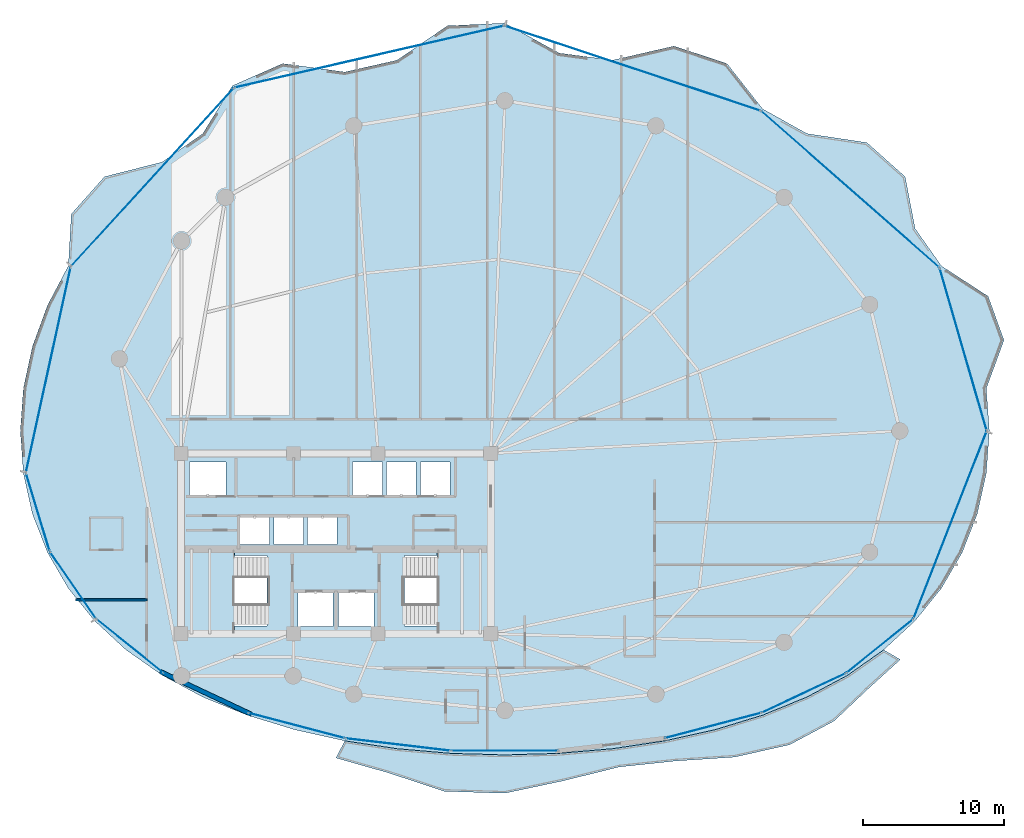
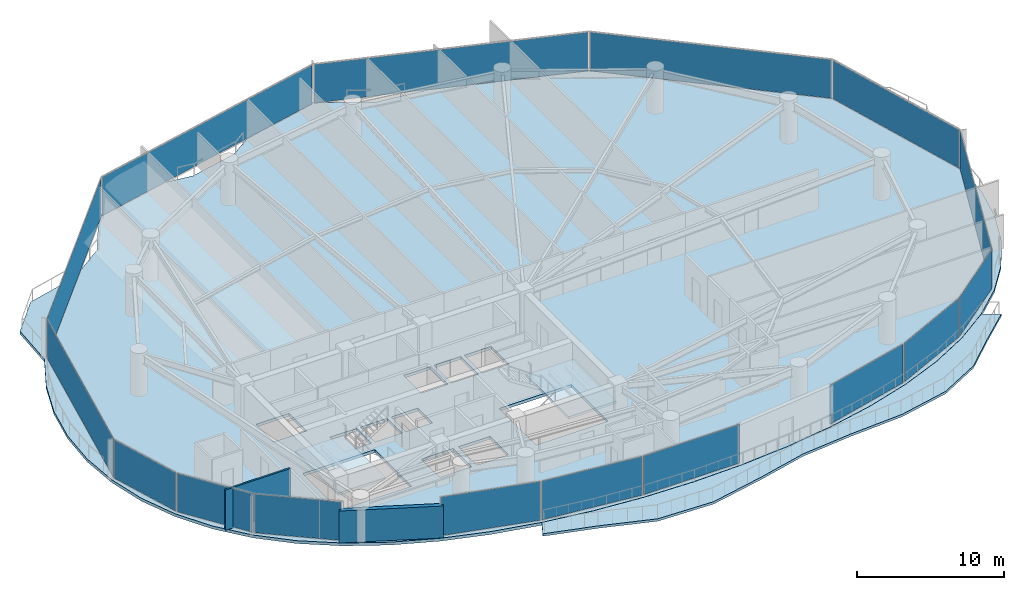
# One storey, part 25 of 34: 16 plates, 4 slabs, 2 walls, 18 elements without a shape of their own.
"""IFC4 building model written with IfcOpenShell, lengths in metres."""

import ifcopenshell
import ifcopenshell.guid

model = None  # the IFC model being written
_history = None  # IfcOwnerHistory: only IFC2X3 demands one
_inside = {}  # id of a spatial element -> (the spatial element, [elements in it])
_under = {}  # id of a project, library or spatial element -> (it, [spatial elements below it])
_declared = {}  # id of a project -> (the project, [libraries it declares])
_typed = {}  # id of a type object -> (the type object, [elements of that type])
_made_of = {}  # id of a material, layer set ... -> (it, [elements and type objects made of it])


def new_model(schema):
    """Start an empty IFC model of exactly this schema.

    Asked for "IFC4X3", IfcOpenShell would pick the latest addendum, in which some entities
    have other attributes; the version numbers below select the first issue.
    IFC2X3 requires an IfcOwnerHistory on every rooted entity: one is made here for all.
    """
    global model, _history
    if schema == "IFC4X3":
        model = ifcopenshell.file(schema_version=(4, 3, 0, 0))
    else:
        model = ifcopenshell.file(schema=schema)
    _inside.clear()
    _under.clear()
    _declared.clear()
    _typed.clear()
    _made_of.clear()
    _history = None
    if model.schema == "IFC2X3":
        org = make("IfcOrganization", Name="unknown")
        user = make(
            "IfcPersonAndOrganization",
            ThePerson=make("IfcPerson", FamilyName="unknown"),
            TheOrganization=org,
        )
        app = make(
            "IfcApplication",
            ApplicationDeveloper=org,
            Version="unknown",
            ApplicationFullName="unknown",
            ApplicationIdentifier="unknown",
        )
        _history = make(
            "IfcOwnerHistory",
            OwningUser=user,
            OwningApplication=app,
            ChangeAction="ADDED",
            CreationDate=0,
        )
    return model


def make(cls, **values):
    """One entity of the class cls with the attributes given. An attribute that is None is left unset."""
    return model.create_entity(
        cls, **{name: value for name, value in values.items() if value is not None}
    )


def rooted(cls, **values):
    """An entity with a GlobalId (a new one), such as an element, a storey or a relation."""
    return make(cls, GlobalId=ifcopenshell.guid.new(), OwnerHistory=_history, **values)


def si_unit(unit_type, name, prefix=None):
    """IfcSIUnit, for example si_unit("LENGTHUNIT", "METRE", prefix="MILLI")."""
    return make("IfcSIUnit", UnitType=unit_type, Prefix=prefix, Name=name)


def assignment(units):
    """IfcUnitAssignment: the units of a project."""
    return None if units is None else make("IfcUnitAssignment", Units=units)


def point(xyz):
    """IfcCartesianPoint."""
    return None if xyz is None else make("IfcCartesianPoint", Coordinates=xyz)


def direction(xyz):
    """IfcDirection."""
    return None if xyz is None else make("IfcDirection", DirectionRatios=xyz)


def frame(location, z_axis=None, x_axis=None):
    """IfcAxis2Placement3D, a coordinate frame: its origin and axes. An axis left out is left unset."""
    return make(
        "IfcAxis2Placement3D",
        Location=point(location),
        Axis=direction(z_axis),
        RefDirection=direction(x_axis),
    )


def frame_2d(location, x_axis=None):
    """IfcAxis2Placement2D, a coordinate frame in the plane: its origin and x axis."""
    return make(
        "IfcAxis2Placement2D", Location=point(location), RefDirection=direction(x_axis)
    )


def origin():
    """The frame at (0, 0, 0) with its axes left unset."""
    return frame((0.0, 0.0, 0.0))


def origin_2d():
    """The frame at (0, 0) in the plane with its x axis left unset."""
    return frame_2d((0.0, 0.0))


def place(relative_to, where):
    """IfcLocalPlacement: puts the frame where relative to a parent placement (None: the world)."""
    return make(
        "IfcLocalPlacement", PlacementRelTo=relative_to, RelativePlacement=where
    )


def context(
    kind, dimensions, precision=None, world=None, true_north=None, identifier=None
):
    """IfcGeometricRepresentationContext, for example the 3D "Model" context."""
    return make(
        "IfcGeometricRepresentationContext",
        ContextIdentifier=identifier,
        ContextType=kind,
        CoordinateSpaceDimension=dimensions,
        Precision=precision,
        WorldCoordinateSystem=world,
        TrueNorth=true_north,
    )


def subcontext(parent, identifier, kind, view, scale=None):
    """IfcGeometricRepresentationSubContext, for example "Body" below "Model"."""
    return make(
        "IfcGeometricRepresentationSubContext",
        ContextIdentifier=identifier,
        ContextType=kind,
        ParentContext=parent,
        TargetScale=scale,
        TargetView=view,
    )


def project(units=None, contexts=None):
    """IfcProject with its units and contexts."""
    return rooted(
        "IfcProject",
        Name="project",
        RepresentationContexts=contexts,
        UnitsInContext=assignment(units),
    )


def spatial(cls, under=None, at=None, **own):
    """A site, building, storey or space (cls), placed at a placement, below another one or the project."""
    s = rooted(cls, ObjectPlacement=at, **own)
    if under is not None:
        _under.setdefault(under.id(), (under, []))[1].append(s)
    return s


def polyline(points):
    """IfcPolyline through the points."""
    return make("IfcPolyline", Points=[point(p) for p in points])


def profile(cls, at=None, kind="AREA", **sizes):
    """A parametric profile (cls). Its sizes go by their IFC names, for example OverallWidth=200.0."""
    return make(cls, ProfileType=kind, Position=at, **sizes)


def rectangle(**sizes):
    """IfcRectangleProfileDef."""
    return profile("IfcRectangleProfileDef", **sizes)


def outline(outer, holes=None, kind="AREA"):
    """IfcArbitraryClosedProfileDef: a profile drawn as a closed curve; with holes, ...WithVoids."""
    if holes is None:
        return make("IfcArbitraryClosedProfileDef", ProfileType=kind, OuterCurve=outer)
    return make(
        "IfcArbitraryProfileDefWithVoids",
        ProfileType=kind,
        OuterCurve=outer,
        InnerCurves=holes,
    )


def extrude(swept, where, along, depth):
    """IfcExtrudedAreaSolid: the profile swept, set in the frame where, extruded along a direction by depth."""
    return make(
        "IfcExtrudedAreaSolid",
        SweptArea=swept,
        Position=where,
        ExtrudedDirection=direction(along),
        Depth=depth,
    )


def shape(context_of_items, identifier, shape_type, items):
    """IfcShapeRepresentation: the items that make up one representation, for example the "Body"."""
    return make(
        "IfcShapeRepresentation",
        ContextOfItems=context_of_items,
        RepresentationIdentifier=identifier,
        RepresentationType=shape_type,
        Items=items,
    )


def material(Name=None, Category=None):
    """IfcMaterial."""
    return make("IfcMaterial", Name=Name, Category=Category)


def layer(
    of_material, thickness, ventilated=None, Name=None, Category=None, Priority=None
):
    """IfcMaterialLayer: one layer of a wall or slab, of a material (None: an air gap)."""
    return make(
        "IfcMaterialLayer",
        Material=of_material,
        LayerThickness=thickness,
        IsVentilated=ventilated,
        Name=Name,
        Category=Category,
        Priority=Priority,
    )


def layer_set(layers, Name=None):
    """IfcMaterialLayerSet."""
    return make("IfcMaterialLayerSet", MaterialLayers=layers, LayerSetName=Name)


def made_of(thing, what):
    """Note that an element or type object is made of a material, layer set ...; save() writes the relation."""
    if what is not None:
        _made_of.setdefault(what.id(), (what, []))[1].append(thing)
    return thing


def type_object(cls, material=None, **own):
    """A type object (cls), such as IfcWallType, which elements share."""
    return made_of(rooted(cls, **own), material)


def element(
    cls,
    number,
    at=None,
    inside=None,
    cuts=None,
    type_object=None,
    material=None,
    context=None,
    identifier="Body",
    shape_type=None,
    held_by="IfcProductDefinitionShape",
    body=None,
    shapes=None,
    **own,
):
    """One element of the class cls, such as IfcWall. Its Tag is "e" and its number.

    at: its placement. inside: the storey or other place that contains it. cuts: it is an
    opening in that element (IfcRelVoidsElement). A single representation is given by context,
    identifier, shape_type and body (its items); several are given by shapes. held_by: the class
    of the entity that holds the representations. save() writes the other relations.
    """
    e = rooted(cls, Tag="e%d" % number, ObjectPlacement=at, **own)
    if body is not None:
        shapes = [shape(context, identifier, shape_type, body)]
    if shapes is not None:
        e.Representation = make(held_by, Representations=shapes)
    if inside is not None:
        _inside.setdefault(inside.id(), (inside, []))[1].append(e)
    if cuts is not None:
        rooted(
            "IfcRelVoidsElement", RelatingBuildingElement=cuts, RelatedOpeningElement=e
        )
    if type_object is not None:
        _typed.setdefault(type_object.id(), (type_object, []))[1].append(e)
    return made_of(e, material)


def aggregate(whole, parts):
    """IfcRelAggregates: a whole, such as a stair, and the parts it consists of."""
    return rooted("IfcRelAggregates", RelatingObject=whole, RelatedObjects=parts)


def save(model, path):
    """Write the relations noted so far, then the file.

    IfcRelAggregates (storeys below a building ...), IfcRelContainedInSpatialStructure (elements
    in a storey), IfcRelDefinesByType, IfcRelAssociatesMaterial and IfcRelDeclares: one each for
    every whole, place, type object, material and project.
    """
    for whole, parts in _under.values():
        aggregate(whole, parts)
    for where, things in _inside.values():
        rooted(
            "IfcRelContainedInSpatialStructure",
            RelatedElements=things,
            RelatingStructure=where,
        )
    for kind, things in _typed.values():
        rooted("IfcRelDefinesByType", RelatedObjects=things, RelatingType=kind)
    for what, things in _made_of.values():
        rooted("IfcRelAssociatesMaterial", RelatedObjects=things, RelatingMaterial=what)
    for by, libraries in _declared.values():
        rooted("IfcRelDeclares", RelatingContext=by, RelatedDefinitions=libraries)
    model.write(path)


model = new_model("IFC4")

# Units and contexts
model_context = context("Model", 3, precision=1e-05, world=origin(), true_north=direction((0.0, 1.0)))
body_context = subcontext(model_context, "Body", "Model", "MODEL_VIEW")
ifc_project = project(units=[si_unit("LENGTHUNIT", "METRE"), si_unit("AREAUNIT", "SQUARE_METRE"), si_unit("VOLUMEUNIT", "CUBIC_METRE"), si_unit("PLANEANGLEUNIT", "RADIAN"), si_unit("MASSUNIT", "GRAM", prefix="KILO")], contexts=[model_context])

# Site, building, storey
site_placement = place(None, origin())
site = spatial("IfcSite", under=ifc_project, at=site_placement, CompositionType="ELEMENT")
building_placement = place(site_placement, origin())
building = spatial("IfcBuilding", under=site, at=building_placement, Name="Kazevale Care Tower and Concert Hall", CompositionType="ELEMENT")
storey_placement = place(building_placement, frame((0.0, 0.0, 174.60009765625)))
storey = spatial("IfcBuildingStorey", under=building, at=storey_placement, Name="L46", CompositionType="ELEMENT", Elevation=174.60009765625)

# Curtain wall, plate
ifc_material_1 = material(Name="Aluminium 6063-T6 and Low-E Glass", Category="aluminium")
ifc_layer_1 = layer(ifc_material_1, 0.179931640625)
ifc_layer_set_1 = layer_set([ifc_layer_1], Name="Aluminium 6063-T6 and Low-E Glass")
curtain_wall_type_1 = type_object("IfcCurtainWallType", Name="Convex Checkerboard Finned Curtain Wall CW-2", PredefinedType="NOTDEFINED", material=ifc_layer_set_1)
curtain_wall_1_placement = place(storey_placement, origin())
curtain_wall_1 = element("IfcCurtainWall", 1, at=curtain_wall_1_placement, inside=storey, type_object=curtain_wall_type_1, Name="cw:L46:f14", PredefinedType="NOTDEFINED")
ifc_material_2 = material(Name="Low-E Laminated Glass", Category="glass")
ifc_layer_2 = layer(ifc_material_2, 0.028076171875)
ifc_layer_set_2 = layer_set([ifc_layer_2], Name="Low-E Laminated Glass")
plate_type_1 = type_object("IfcPlateType", Name="CW-2 Low-E Glazing Panel 28mm", PredefinedType="CURTAIN_PANEL", material=ifc_layer_set_2)
plate_1_placement = place(storey_placement, frame((19.98388671875, 56.017578125, 0.074951171875), z_axis=(0.0, 0.0, 1.0), x_axis=(0.674262472751, 0.738491785899, 0.0)))
plate_1 = element("IfcPlate", 2, at=plate_1_placement, type_object=plate_type_1, Name="CW-2 panel 1.1", PredefinedType="CURTAIN_PANEL", context=body_context, shape_type="SweptSolid", body=[
    extrude(rectangle(XDim=17.0439453125, YDim=0.028076171875, at=origin_2d()), origin(), (0.0, 0.0, 1.0), 3.2099609375),
])
aggregate(curtain_wall_1, [plate_1])

curtain_wall_2_placement = place(storey_placement, origin())
curtain_wall_2 = element("IfcCurtainWall", 3, at=curtain_wall_2_placement, inside=storey, type_object=curtain_wall_type_1, Name="cw:L46:f16", PredefinedType="NOTDEFINED")
plate_2_placement = place(storey_placement, frame((54.070556640625, 63.7451171875, 0.074951171875), z_axis=(0.0, 0.0, 1.0), x_axis=(0.949135409507, -0.314868185785, 0.0)))
plate_2 = element("IfcPlate", 4, at=plate_2_placement, type_object=plate_type_1, Name="CW-2 panel 1.1", PredefinedType="CURTAIN_PANEL", context=body_context, shape_type="SweptSolid", body=[
    extrude(rectangle(XDim=19.041748046875, YDim=0.028076171875, at=origin_2d()), origin(), (0.0, 0.0, 1.0), 3.2099609375),
])
aggregate(curtain_wall_2, [plate_2])

ifc_layer_3 = layer(ifc_material_1, 0.179931640625)
ifc_layer_set_3 = layer_set([ifc_layer_3], Name="Aluminium 6063-T6 and Low-E Glass")
curtain_wall_type_2 = type_object("IfcCurtainWallType", Name="Convex Recessed Sunroom Curtain Wall CW-3", PredefinedType="NOTDEFINED", material=ifc_layer_set_3)
curtain_wall_3_placement = place(storey_placement, origin())
curtain_wall_3 = element("IfcCurtainWall", 5, at=curtain_wall_3_placement, inside=storey, type_object=curtain_wall_type_2, Name="cw:L46:f15", PredefinedType="NOTDEFINED")
ifc_layer_4 = layer(ifc_material_2, 0.028076171875)
ifc_layer_set_4 = layer_set([ifc_layer_4], Name="Low-E Laminated Glass")
plate_type_2 = type_object("IfcPlateType", Name="CW-3 Low-E Glazing Panel 28mm", PredefinedType="CURTAIN_PANEL", material=ifc_layer_set_4)
plate_3_placement = place(storey_placement, frame((35.37109375, 64.569091796875, 0.074951171875), z_axis=(0.0, 0.0, 1.0), x_axis=(0.974688488327, 0.223567329284, 0.0)))
plate_3 = element("IfcPlate", 6, at=plate_3_placement, type_object=plate_type_2, Name="CW-3 panel 1.1", PredefinedType="CURTAIN_PANEL", context=body_context, shape_type="SweptSolid", body=[
    extrude(rectangle(XDim=19.52197265625, YDim=0.028076171875, at=origin_2d()), origin(), (0.0, 0.0, 1.0), 3.2099609375),
])
aggregate(curtain_wall_3, [plate_3])

curtain_wall_4_placement = place(storey_placement, origin())
curtain_wall_4 = element("IfcCurtainWall", 7, at=curtain_wall_4_placement, inside=storey, type_object=curtain_wall_type_2, Name="cw:L46:f17", PredefinedType="NOTDEFINED")
plate_4_placement = place(storey_placement, frame((69.5244140625, 55.152587890625, 0.074951171875), z_axis=(0.0, 0.0, 1.0), x_axis=(0.751360700182, -0.659891732197, 0.0)))
plate_4 = element("IfcPlate", 8, at=plate_4_placement, type_object=plate_type_2, Name="CW-3 panel 1.1", PredefinedType="CURTAIN_PANEL", context=body_context, shape_type="SweptSolid", body=[
    extrude(rectangle(XDim=16.72998046875, YDim=0.028076171875, at=origin_2d()), origin(), (0.0, 0.0, 1.0), 3.2099609375),
])
aggregate(curtain_wall_4, [plate_4])

ifc_layer_5 = layer(ifc_material_1, 0.179931640625)
ifc_layer_set_5 = layer_set([ifc_layer_5], Name="Aluminium 6063-T6 and Low-E Glass")
curtain_wall_type_3 = type_object("IfcCurtainWallType", Name="Waist & Upper Residential Curtain Wall CW-4", PredefinedType="NOTDEFINED", material=ifc_layer_set_5)
curtain_wall_5_placement = place(storey_placement, origin())
curtain_wall_5 = element("IfcCurtainWall", 9, at=curtain_wall_5_placement, inside=storey, type_object=curtain_wall_type_3, Name="cw:L46:f01", PredefinedType="NOTDEFINED")
ifc_layer_6 = layer(ifc_material_2, 0.030029296875)
ifc_layer_set_6 = layer_set([ifc_layer_6], Name="Low-E Laminated Glass")
plate_type_3 = type_object("IfcPlateType", Name="CW-4 Low-E Glazing Panel 30mm", PredefinedType="CURTAIN_PANEL", material=ifc_layer_set_6)
plate_5_placement = place(storey_placement, frame((76.60791015625, 31.319091796875, 0.080078125), z_axis=(0.0, 0.0, 1.0), x_axis=(-0.36412075471, -0.931351746651, 0.0)))
plate_5 = element("IfcPlate", 10, at=plate_5_placement, type_object=plate_type_3, Name="CW-4 panel 1.1", PredefinedType="CURTAIN_PANEL", context=body_context, shape_type="SweptSolid", body=[
    extrude(rectangle(XDim=14.186767578125, YDim=0.030029296875, at=origin_2d()), origin(), (0.0, 0.0, 1.0), 3.199951171875),
])
aggregate(curtain_wall_5, [plate_5])

curtain_wall_6_placement = place(storey_placement, origin())
curtain_wall_6 = element("IfcCurtainWall", 11, at=curtain_wall_6_placement, inside=storey, type_object=curtain_wall_type_3, Name="cw:L46:f11", PredefinedType="NOTDEFINED")
plate_6_placement = place(storey_placement, frame((14.348388671875, 27.03955078125, 0.080078125), z_axis=(0.0, 0.0, 1.0), x_axis=(-0.567568708131, 0.823326035997, 0.0)))
plate_6 = element("IfcPlate", 12, at=plate_6_placement, type_object=plate_type_3, Name="CW-4 panel 1.1", PredefinedType="CURTAIN_PANEL", context=body_context, shape_type="SweptSolid", body=[
    extrude(rectangle(XDim=5.673583984375, YDim=0.030029296875, at=origin_2d()), origin(), (0.0, 0.0, 1.0), 3.199951171875),
])
aggregate(curtain_wall_6, [plate_6])

curtain_wall_7_placement = place(storey_placement, origin())
curtain_wall_7 = element("IfcCurtainWall", 13, at=curtain_wall_7_placement, inside=storey, type_object=curtain_wall_type_3, Name="cw:L46:f12", PredefinedType="NOTDEFINED")
plate_7_placement = place(storey_placement, frame((11.843994140625, 32.232421875, 0.080078125), z_axis=(0.0, 0.0, 1.0), x_axis=(-0.290977496961, 0.956729897234, 0.0)))
plate_7 = element("IfcPlate", 14, at=plate_7_placement, type_object=plate_type_3, Name="CW-4 panel 1.1", PredefinedType="CURTAIN_PANEL", context=body_context, shape_type="SweptSolid", body=[
    extrude(rectangle(XDim=5.675537109375, YDim=0.030029296875, at=origin_2d()), origin(), (0.0, 0.0, 1.0), 3.199951171875),
])
aggregate(curtain_wall_7, [plate_7])

curtain_wall_8_placement = place(storey_placement, origin())
curtain_wall_8 = element("IfcCurtainWall", 15, at=curtain_wall_8_placement, inside=storey, type_object=curtain_wall_type_3, Name="cw:L46:f13", PredefinedType="NOTDEFINED")
plate_8_placement = place(storey_placement, frame((12.589599609375, 42.344482421875, 0.080078125), z_axis=(0.0, 0.0, 1.0), x_axis=(0.21282305992, 0.977090755849, 0.0)))
plate_8 = element("IfcPlate", 16, at=plate_8_placement, type_object=plate_type_3, Name="CW-4 panel 1.1", PredefinedType="CURTAIN_PANEL", context=body_context, shape_type="SweptSolid", body=[
    extrude(rectangle(XDim=14.82421875, YDim=0.030029296875, at=origin_2d()), origin(), (0.0, 0.0, 1.0), 3.199951171875),
])
aggregate(curtain_wall_8, [plate_8])

curtain_wall_9_placement = place(storey_placement, origin())
curtain_wall_9 = element("IfcCurtainWall", 17, at=curtain_wall_9_placement, inside=storey, type_object=curtain_wall_type_3, Name="cw:L46:f18", PredefinedType="NOTDEFINED")
plate_9_placement = place(storey_placement, frame((77.54296875, 43.79150390625, 0.080078125), z_axis=(0.0, 0.0, 1.0), x_axis=(0.278136604418, -0.960541529182, 0.0)))
plate_9 = element("IfcPlate", 18, at=plate_9_placement, type_object=plate_type_3, Name="CW-4 panel 1.1", PredefinedType="CURTAIN_PANEL", context=body_context, shape_type="SweptSolid", body=[
    extrude(rectangle(XDim=11.89892578125, YDim=0.030029296875, at=origin_2d()), origin(), (0.0, 0.0, 1.0), 3.199951171875),
])
aggregate(curtain_wall_9, [plate_9])

ifc_layer_7 = layer(ifc_material_1, 0.179931640625)
ifc_layer_set_7 = layer_set([ifc_layer_7], Name="Aluminium 6063-T6 and Low-E Glass")
curtain_wall_type_4 = type_object("IfcCurtainWallType", Name="Sheltered Concave Balcony Curtain Wall CW-5", PredefinedType="NOTDEFINED", material=ifc_layer_set_7)
curtain_wall_10_placement = place(storey_placement, origin())
curtain_wall_10 = element("IfcCurtainWall", 19, at=curtain_wall_10_placement, inside=storey, type_object=curtain_wall_type_4, Name="cw:L46:f02", PredefinedType="NOTDEFINED")
ifc_layer_8 = layer(ifc_material_2, 0.02587890625)
ifc_layer_set_8 = layer_set([ifc_layer_8], Name="Low-E Laminated Glass")
plate_type_4 = type_object("IfcPlateType", Name="CW-5 Low-E Glazing Panel 26mm", PredefinedType="CURTAIN_PANEL", material=ifc_layer_set_8)
plate_10_placement = place(storey_placement, frame((71.613037109375, 22.720458984375, 0.074951171875), z_axis=(0.0, 0.0, 1.0), x_axis=(-0.779095419531, -0.626905357502, 0.0)))
plate_10 = element("IfcPlate", 20, at=plate_10_placement, type_object=plate_type_4, Name="CW-5 panel 1.1", PredefinedType="CURTAIN_PANEL", context=body_context, shape_type="SweptSolid", body=[
    extrude(rectangle(XDim=5.96728515625, YDim=0.02587890625, at=origin_2d()), origin(), (0.0, 0.0, 1.0), 3.2099609375),
])
aggregate(curtain_wall_10, [plate_10])

curtain_wall_11_placement = place(storey_placement, origin())
curtain_wall_11 = element("IfcCurtainWall", 21, at=curtain_wall_11_placement, inside=storey, type_object=curtain_wall_type_4, Name="cw:L46:f03", PredefinedType="NOTDEFINED")
plate_11_placement = place(storey_placement, frame((66.235595703125, 19.39697265625, 0.074951171875), z_axis=(0.0, 0.0, 1.0), x_axis=(-0.905188294205, -0.425010766963, 0.0)))
plate_11 = element("IfcPlate", 22, at=plate_11_placement, type_object=plate_type_4, Name="CW-5 panel 1.1", PredefinedType="CURTAIN_PANEL", context=body_context, shape_type="SweptSolid", body=[
    extrude(rectangle(XDim=6.46630859375, YDim=0.02587890625, at=origin_2d()), origin(), (0.0, 0.0, 1.0), 3.2099609375),
])
aggregate(curtain_wall_11, [plate_11])

curtain_wall_12_placement = place(storey_placement, origin())
curtain_wall_12 = element("IfcCurtainWall", 23, at=curtain_wall_12_placement, inside=storey, type_object=curtain_wall_type_4, Name="cw:L46:f04", PredefinedType="NOTDEFINED")
plate_12_placement = place(storey_placement, frame((59.784912109375, 17.08251953125, 0.074951171875), z_axis=(0.0, 0.0, 1.0), x_axis=(-0.967141564797, -0.254238458229, 0.0)))
plate_12 = element("IfcPlate", 24, at=plate_12_placement, type_object=plate_type_4, Name="CW-5 panel 1.1", PredefinedType="CURTAIN_PANEL", context=body_context, shape_type="SweptSolid", body=[
    extrude(rectangle(XDim=6.996826171875, YDim=0.02587890625, at=origin_2d()), origin(), (0.0, 0.0, 1.0), 3.2099609375),
])
aggregate(curtain_wall_12, [plate_12])

curtain_wall_13_placement = place(storey_placement, origin())
curtain_wall_13 = element("IfcCurtainWall", 25, at=curtain_wall_13_placement, inside=storey, type_object=curtain_wall_type_4, Name="cw:L46:f06", PredefinedType="NOTDEFINED")
plate_13_placement = place(storey_placement, frame((45.0, 15.2890625, 0.074951171875), z_axis=(0.0, 0.0, 1.0), x_axis=(-1.0, 0.0, 0.0)))
plate_13 = element("IfcPlate", 26, at=plate_13_placement, type_object=plate_type_4, Name="CW-5 panel 1.1", PredefinedType="CURTAIN_PANEL", context=body_context, shape_type="SweptSolid", body=[
    extrude(rectangle(XDim=7.531982421875, YDim=0.02587890625, at=origin_2d()), origin(), (0.0, 0.0, 1.0), 3.2099609375),
])
aggregate(curtain_wall_13, [plate_13])

curtain_wall_14_placement = place(storey_placement, origin())
curtain_wall_14 = element("IfcCurtainWall", 27, at=curtain_wall_14_placement, inside=storey, type_object=curtain_wall_type_4, Name="cw:L46:f07", PredefinedType="NOTDEFINED")
plate_14_placement = place(storey_placement, frame((37.4150390625, 15.7314453125, 0.074951171875), z_axis=(0.0, 0.0, 1.0), x_axis=(-0.993087997884, 0.117372179238, 0.0)))
plate_14 = element("IfcPlate", 28, at=plate_14_placement, type_object=plate_type_4, Name="CW-5 panel 1.1", PredefinedType="CURTAIN_PANEL", context=body_context, shape_type="SweptSolid", body=[
    extrude(rectangle(XDim=7.39013671875, YDim=0.02587890625, at=origin_2d()), origin(), (0.0, 0.0, 1.0), 3.2099609375),
])
aggregate(curtain_wall_14, [plate_14])

curtain_wall_15_placement = place(storey_placement, origin())
curtain_wall_15 = element("IfcCurtainWall", 29, at=curtain_wall_15_placement, inside=storey, type_object=curtain_wall_type_4, Name="cw:L46:f08", PredefinedType="NOTDEFINED")
plate_15_placement = place(storey_placement, frame((30.215087890625, 17.08251953125, 0.074951171875), z_axis=(0.0, 0.0, 1.0), x_axis=(-0.967141564797, 0.254238458229, 0.0)))
plate_15 = element("IfcPlate", 30, at=plate_15_placement, type_object=plate_type_4, Name="CW-5 panel 1.1", PredefinedType="CURTAIN_PANEL", context=body_context, shape_type="SweptSolid", body=[
    extrude(rectangle(XDim=6.996826171875, YDim=0.02587890625, at=origin_2d()), origin(), (0.0, 0.0, 1.0), 3.2099609375),
])
aggregate(curtain_wall_15, [plate_15])

curtain_wall_16_placement = place(storey_placement, origin())
curtain_wall_16 = element("IfcCurtainWall", 31, at=curtain_wall_16_placement, inside=storey, type_object=curtain_wall_type_4, Name="cw:L46:f10", PredefinedType="NOTDEFINED")
plate_16_placement = place(storey_placement, frame((18.386962890625, 22.720458984375, 0.074951171875), z_axis=(0.0, 0.0, 1.0), x_axis=(-0.779095419531, 0.626905357502, 0.0)))
plate_16 = element("IfcPlate", 32, at=plate_16_placement, type_object=plate_type_4, Name="CW-5 panel 1.1", PredefinedType="CURTAIN_PANEL", context=body_context, shape_type="SweptSolid", body=[
    extrude(rectangle(XDim=5.96728515625, YDim=0.02587890625, at=origin_2d()), origin(), (0.0, 0.0, 1.0), 3.2099609375),
])
aggregate(curtain_wall_16, [plate_16])

# Slab
ifc_material_3 = material(Name="Concrete C40", Category="concrete")
ifc_layer_9 = layer(ifc_material_3, 0.199951171875)
ifc_layer_set_9 = layer_set([ifc_layer_9], Name="Concrete C40")
slab_type_1 = type_object("IfcSlabType", Name="Sinusoidal Concave Balcony Slab 200", PredefinedType="USERDEFINED", material=ifc_layer_set_9)
slab_1_placement = place(storey_placement, frame((0.0, 0.0, -0.2001953125)))
element("IfcSlab", 33, at=slab_1_placement, inside=storey, type_object=slab_type_1, Name="slab:L46:bal", ObjectType="BALCONY", PredefinedType="USERDEFINED", context=body_context, shape_type="SweptSolid", body=[
    extrude(outline(polyline([(73.080078125, 21.767822265625), (70.738037109375, 19.64111328125), (68.37890625, 17.405517578125), (65.21240234375, 15.715087890625), (61.29638671875, 14.840087890625), (57.101806640625, 14.564208984375), (53.096435546875, 14.138671875), (49.1787109375, 13.164794921875), (45.0, 12.2763671875), (40.69482421875, 12.41357421875), (36.76025390625, 13.716552734375), (33.011474609375, 14.783203125), (33.635986328125, 15.992919921875), (33.637451171875, 15.992431640625), (37.3447265625, 15.435546875), (41.148193359375, 15.104736328125), (45.0, 14.9951171875), (48.851806640625, 15.104736328125), (52.6552734375, 15.435546875), (56.362548828125, 15.992431640625), (59.927001953125, 16.783447265625), (63.3037109375, 17.81689453125), (66.4501953125, 19.101806640625), (69.3271484375, 20.64501953125), (71.898193359375, 22.44921875), (71.899658203125, 22.450439453125), (73.080078125, 21.767822265625)])), origin(), (0.0, 0.0, 1.0), 0.2001953125),
])

# Stair, slab
stair_type = type_object("IfcStairType", Name="Exit Stair Assembly ST1-Z2", PredefinedType="HALF_TURN_STAIR", material=ifc_material_3)
stair_1_placement = place(storey_placement, origin())
stair_1 = element("IfcStair", 34, at=stair_1_placement, inside=storey, type_object=stair_type, Name="stair:L46:ST1", PredefinedType="HALF_TURN_STAIR")
ifc_layer_10 = layer(ifc_material_3, 0.199951171875)
ifc_layer_set_10 = layer_set([ifc_layer_10], Name="Concrete C40")
slab_type_2 = type_object("IfcSlabType", Name="Stair Half-Landing Slab ST1-Z2", PredefinedType="LANDING", material=ifc_layer_set_10)
slab_2_placement = place(storey_placement, frame((0.0, 0.0, 1.599853515625)))
slab_2 = element("IfcSlab", 35, at=slab_2_placement, type_object=slab_type_2, Name="ST1-Z2 landing 1", PredefinedType="LANDING", context=body_context, shape_type="SweptSolid", body=[
    extrude(outline(polyline([(22.050048828125, 23.699951171875), (25.81005859375, 23.699951171875), (25.81005859375, 29.5), (22.050048828125, 29.5), (22.050048828125, 23.699951171875)])), origin(), (0.0, 0.0, 1.0), 0.199951171875),
])
aggregate(stair_1, [slab_2])

stair_2_placement = place(storey_placement, origin())
stair_2 = element("IfcStair", 36, at=stair_2_placement, inside=storey, type_object=stair_type, Name="stair:L46:ST2", PredefinedType="HALF_TURN_STAIR")
slab_3_placement = place(storey_placement, frame((0.0, 0.0, 1.599853515625)))
slab_3 = element("IfcSlab", 37, at=slab_3_placement, type_object=slab_type_2, Name="ST1-Z2 landing 1", PredefinedType="LANDING", context=body_context, shape_type="SweptSolid", body=[
    extrude(outline(polyline([(40.18994140625, 23.699951171875), (43.949951171875, 23.699951171875), (43.949951171875, 29.5), (40.18994140625, 29.5), (40.18994140625, 23.699951171875)])), origin(), (0.0, 0.0, 1.0), 0.199951171875),
])
aggregate(stair_2, [slab_3])

# Slab
ifc_layer_11 = layer(ifc_material_3, 0.239990234375)
ifc_layer_set_11 = layer_set([ifc_layer_11], Name="Concrete C40")
slab_type_3 = type_object("IfcSlabType", Name="Tower Typical Floor Slab 240", PredefinedType="FLOOR", material=ifc_layer_set_11)
slab_4_placement = place(storey_placement, frame((0.0, 0.0, -0.239990234375)))
element("IfcSlab", 38, at=slab_4_placement, inside=storey, type_object=slab_type_3, Name="slab:L46:tw:1", PredefinedType="FLOOR", context=body_context, shape_type="SweptSolid", body=[
    extrude(outline(polyline([(79.39990234375, 38.0), (79.18359375, 41.02294921875), (80.438720703125, 44.44189453125), (79.310302734375, 47.5615234375), (75.993408203125, 49.71484375), (74.127197265625, 52.364990234375), (73.419677734375, 56.050048828125), (70.703369140625, 58.470703125), (66.447998046875, 59.109619140625), (63.302001953125, 60.861572265625), (60.771728515625, 64.0830078125), (57.005615234375, 65.325439453125), (52.65478515625, 64.322998046875), (48.8515625, 64.830078125), (45.0, 66.949951171875), (40.93017578125, 66.76806640625), (37.34521484375, 64.322998046875), (33.638427734375, 63.48486328125), (29.228271484375, 64.0830078125), (25.66064453125, 62.5126953125), (23.552001953125, 59.109619140625), (20.675537109375, 57.091796875), (16.580322265625, 56.050048828125), (14.2216796875, 53.40234375), (14.006591796875, 49.71484375), (12.530517578125, 46.91748046875), (11.46240234375, 44.008056640625), (10.81640625, 41.02294921875), (10.60009765625, 38.0), (10.81640625, 34.997802734375), (11.46240234375, 32.1005859375), (12.530517578125, 29.362548828125), (14.006591796875, 26.82421875), (15.872802734375, 24.514892578125), (18.10498046875, 22.452880859375), (20.675537109375, 20.649169921875), (23.552001953125, 19.1064453125), (26.697998046875, 17.821533203125), (30.074462890625, 16.7880859375), (33.638427734375, 15.997314453125), (37.34521484375, 15.4404296875), (41.1484375, 15.109619140625), (45.0, 15.0), (48.8515625, 15.109619140625), (52.65478515625, 15.4404296875), (56.361572265625, 15.997314453125), (59.925537109375, 16.7880859375), (63.302001953125, 17.821533203125), (66.447998046875, 19.1064453125), (69.324462890625, 20.649169921875), (71.89501953125, 22.452880859375), (74.127197265625, 24.514892578125), (75.993408203125, 26.82421875), (77.469482421875, 29.362548828125), (78.53759765625, 32.1005859375), (79.18359375, 34.997802734375), (79.39990234375, 38.0)]), holes=[polyline([(22.449951171875, 24.14990234375), (28.110107421875, 24.14990234375), (28.110107421875, 29.14990234375), (22.449951171875, 29.14990234375), (22.449951171875, 24.14990234375)]), polyline([(37.889892578125, 24.14990234375), (43.550048828125, 24.14990234375), (43.550048828125, 29.14990234375), (37.889892578125, 29.14990234375), (37.889892578125, 24.14990234375)]), polyline([(30.300048828125, 24.10009765625), (32.800048828125, 24.10009765625), (32.800048828125, 26.60009765625), (30.300048828125, 26.60009765625), (30.300048828125, 24.10009765625)]), polyline([(33.199951171875, 24.10009765625), (35.699951171875, 24.10009765625), (35.699951171875, 26.60009765625), (33.199951171875, 26.60009765625), (33.199951171875, 24.10009765625)]), polyline([(22.60009765625, 33.39990234375), (25.199951171875, 33.39990234375), (25.199951171875, 35.800048828125), (22.60009765625, 35.800048828125), (22.60009765625, 33.39990234375)]), polyline([(34.199951171875, 33.39990234375), (36.300048828125, 33.39990234375), (36.300048828125, 35.800048828125), (34.199951171875, 35.800048828125), (34.199951171875, 33.39990234375)]), polyline([(36.60009765625, 33.39990234375), (38.699951171875, 33.39990234375), (38.699951171875, 35.800048828125), (36.60009765625, 35.800048828125), (36.60009765625, 33.39990234375)]), polyline([(39.0, 33.39990234375), (41.10009765625, 33.39990234375), (41.10009765625, 35.800048828125), (39.0, 35.800048828125), (39.0, 33.39990234375)]), polyline([(26.199951171875, 29.949951171875), (28.300048828125, 29.949951171875), (28.300048828125, 31.949951171875), (26.199951171875, 31.949951171875), (26.199951171875, 29.949951171875)]), polyline([(28.60009765625, 29.949951171875), (30.699951171875, 29.949951171875), (30.699951171875, 31.949951171875), (28.60009765625, 31.949951171875), (28.60009765625, 29.949951171875)]), polyline([(31.0, 29.949951171875), (33.10009765625, 29.949951171875), (33.10009765625, 31.949951171875), (31.0, 31.949951171875), (31.0, 29.949951171875)])]), origin(), (0.0, 0.0, 1.0), 0.239990234375),
])

# Walls
ifc_material_4 = material(Name="Acoustic Gypsum on Steel Stud", Category="steel")
ifc_layer_12 = layer(ifc_material_4, 0.139892578125)
ifc_layer_set_12 = layer_set([ifc_layer_12], Name="Acoustic Gypsum on Steel Stud")
wall_type_1 = type_object("IfcWallType", Name="Acoustic Care & Suite Partition 140", PredefinedType="PARTITIONING", material=ifc_layer_set_12)
wall_1_placement = place(storey_placement, frame((14.52392578125, 26.0, 0.0), z_axis=(0.0, 0.0, 1.0), x_axis=(1.0, 0.0, 0.0)))
element("IfcWall", 39, at=wall_1_placement, inside=storey, type_object=wall_type_1, Name="wall:L46:auto_034", PredefinedType="PARTITIONING", context=body_context, shape_type="SweptSolid", body=[
    extrude(rectangle(XDim=5.0810546875, YDim=0.139892578125, at=frame_2d((2.54052734375, 0.0))), origin(), (0.0, 0.0, 1.0), 3.35986328125),
])
ifc_material_5 = material(Name="Concrete C40 with Honed Limestone Cladding", Category="masonry")
ifc_layer_13 = layer(ifc_material_5, 0.320068359375)
ifc_layer_set_13 = layer_set([ifc_layer_13], Name="Concrete C40 with Honed Limestone Cladding")
wall_type_2 = type_object("IfcWallType", Name="Tower Honed Limestone Spandrel Wall 320", PredefinedType="STANDARD", material=ifc_layer_set_13)
wall_2_placement = place(storey_placement, frame((26.993896484375, 17.8798828125, 0.0), z_axis=(0.0, 0.0, 1.0), x_axis=(-0.905106920297, 0.425184034073, 0.0)))
element("IfcWall", 40, at=wall_2_placement, inside=storey, type_object=wall_type_2, Name="wall:cw:L46:f09", PredefinedType="STANDARD", context=body_context, shape_type="SweptSolid", body=[
    extrude(rectangle(XDim=7.13623046875, YDim=0.320068359375, at=frame_2d((3.568115234375, 0.0))), origin(), (0.0, 0.0, 1.0), 2.656982421875),
])

save(model, "model.ifc")
